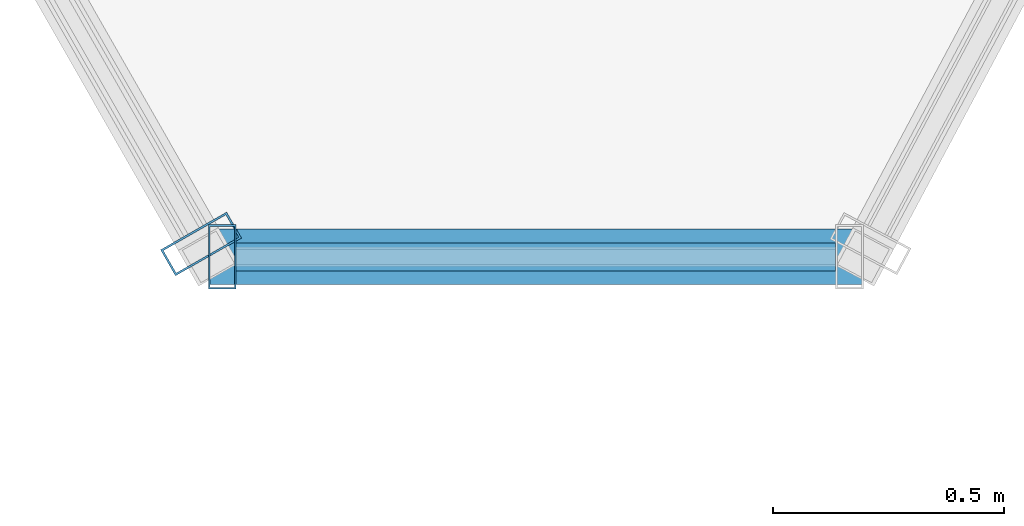
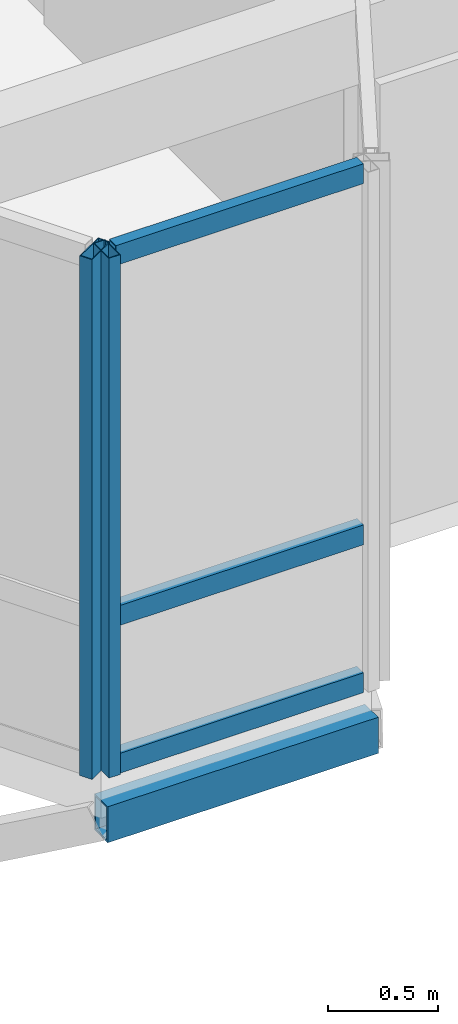
# One storey, part 33 of 79: 6 members, 2 elements without a shape of their own.
"""IFC4 building model written with IfcOpenShell, lengths in metres."""

from ifc_helpers import new_model, si_unit, direction, frame, origin, origin_2d, place, context, subcontext, project, spatial, hollow_rectangle, extrude, material, layer, layer_set, material_profile, profile_set, type_object, element, aggregate, save


model = new_model("IFC4")

# Units and contexts
model_context = context("Model", 3, precision=1e-05, world=origin(), true_north=direction((0.0, 1.0)))
body_context = subcontext(model_context, "Body", "Model", "MODEL_VIEW")
ifc_project = project(units=[si_unit("LENGTHUNIT", "METRE"), si_unit("AREAUNIT", "SQUARE_METRE"), si_unit("VOLUMEUNIT", "CUBIC_METRE"), si_unit("PLANEANGLEUNIT", "RADIAN"), si_unit("MASSUNIT", "GRAM", prefix="KILO"), si_unit("THERMODYNAMICTEMPERATUREUNIT", "KELVIN"), si_unit("POWERUNIT", "WATT")], contexts=[model_context])

# Site, building, storey
site_placement = place(None, origin())
site = spatial("IfcSite", under=ifc_project, at=site_placement, CompositionType="ELEMENT")
building_placement = place(site_placement, origin())
building = spatial("IfcBuilding", under=site, at=building_placement, Name="Tavuni Mirador Residences", CompositionType="ELEMENT")
storey_placement = place(building_placement, frame((0.0, 0.0, 13.949951171875)))
storey = spatial("IfcBuildingStorey", under=building, at=storey_placement, Name="L04", CompositionType="ELEMENT", Elevation=13.949951171875)

# Curtain wall, member
ifc_material_1 = material(Name="Anodised aluminium", Category="aluminium")
ifc_layer_1 = layer(ifc_material_1, 0.175048828125, Name="Anodised aluminium", Category="aluminium")
ifc_layer_set_1 = layer_set([ifc_layer_1], Name="Anodised aluminium")
curtain_wall_type_1 = type_object("IfcCurtainWallType", Name="CWT-MIR-C", PredefinedType="NOTDEFINED", material=ifc_layer_set_1)
curtain_wall_1_placement = place(storey_placement, origin())
curtain_wall_1 = element("IfcCurtainWall", 1, at=curtain_wall_1_placement, inside=storey, type_object=curtain_wall_type_1, Name="CW-MIR-C-S2-L04-MF", PredefinedType="NOTDEFINED")
ifc_material_profile_1 = material_profile(ifc_material_1, hollow_rectangle(XDim=0.06005859375, YDim=0.139892578125, WallThickness=0.00390625, at=origin_2d()), Name="ALU 60x140x4.0", Category="aluminium")
ifc_profile_set_1 = profile_set([ifc_material_profile_1], Name="Anodised aluminium")
member_type_1 = type_object("IfcMemberType", Name="CWM-140", PredefinedType="MULLION", material=ifc_profile_set_1)
member_1_placement = place(storey_placement, frame((33.389892578125, 142.800048828125, 0.0), z_axis=(0.0, 0.0, 1.0), x_axis=(1.0, 0.0, 0.0)))
member_1 = element("IfcMember", 2, at=member_1_placement, type_object=member_type_1, Name="CW-03 mullion 1", PredefinedType="MULLION", context=body_context, shape_type="SweptSolid", body=[
    extrude(hollow_rectangle(XDim=0.06005859375, YDim=0.139892578125, WallThickness=0.00390625, at=origin_2d()), origin(), (0.0, 0.0, 1.0), 2.885009765625),
])

ifc_layer_2 = layer(ifc_material_1, 0.14990234375, Name="Anodised aluminium", Category="aluminium")
ifc_layer_set_2 = layer_set([ifc_layer_2], Name="Anodised aluminium")
curtain_wall_type_2 = type_object("IfcCurtainWallType", Name="CWT-MIR-B", PredefinedType="NOTDEFINED", material=ifc_layer_set_2)
curtain_wall_2_placement = place(storey_placement, origin())
curtain_wall_2 = element("IfcCurtainWall", 3, at=curtain_wall_2_placement, inside=storey, type_object=curtain_wall_type_2, Name="CW-MIR-C-S2-L04-M1", PredefinedType="NOTDEFINED")
ifc_material_profile_2 = material_profile(ifc_material_1, hollow_rectangle(XDim=0.06494140625, YDim=0.1650390625, WallThickness=0.00439453125, at=origin_2d()), Name="ALU 65x165x4.5", Category="aluminium")
ifc_profile_set_2 = profile_set([ifc_material_profile_2], Name="Anodised aluminium")
member_type_2 = type_object("IfcMemberType", Name="CWM-165", PredefinedType="MULLION", material=ifc_profile_set_2)
member_2_placement = place(storey_placement, frame((33.343994140625, 142.828125, 0.0), z_axis=(0.0, 0.0, 1.0), x_axis=(0.495749192217, -0.868465738194, 0.0)))
member_2 = element("IfcMember", 4, at=member_2_placement, type_object=member_type_2, Name="CW-02 mullion 2", PredefinedType="MULLION", context=body_context, shape_type="SweptSolid", body=[
    extrude(hollow_rectangle(XDim=0.06494140625, YDim=0.1650390625, WallThickness=0.00439453125, at=origin_2d()), origin(), (0.0, 0.0, 1.0), 2.885009765625),
])
aggregate(curtain_wall_2, [member_2])

# Member
ifc_material_profile_3 = material_profile(ifc_material_1, hollow_rectangle(XDim=0.06005859375, YDim=0.110107421875, WallThickness=0.00390625, at=origin_2d()), Name="ALU 60x110x4.0", Category="aluminium")
ifc_profile_set_3 = profile_set([ifc_material_profile_3], Name="Anodised aluminium")
member_type_3 = type_object("IfcMemberType", Name="CWT-110", PredefinedType="USERDEFINED", material=ifc_profile_set_3)
member_3_placement = place(storey_placement, frame((33.419921875, 142.800048828125, 0.030029296875), z_axis=(1.0, 0.0, 0.0), x_axis=(0.0, 1.0, 0.0)))
member_3 = element("IfcMember", 5, at=member_3_placement, type_object=member_type_3, Name="CW-03 transom 1.1", ObjectType="TRANSOM", PredefinedType="USERDEFINED", context=body_context, shape_type="SweptSolid", body=[
    extrude(hollow_rectangle(XDim=0.06005859375, YDim=0.110107421875, WallThickness=0.00390625, at=origin_2d()), origin(), (0.0, 0.0, 1.0), 1.300048828125),
])

member_4_placement = place(storey_placement, frame((33.419921875, 142.800048828125, 0.85009765625), z_axis=(1.0, 0.0, 0.0), x_axis=(0.0, 1.0, 0.0)))
member_4 = element("IfcMember", 6, at=member_4_placement, type_object=member_type_3, Name="CW-03 transom 1.2", ObjectType="TRANSOM", PredefinedType="USERDEFINED", context=body_context, shape_type="SweptSolid", body=[
    extrude(hollow_rectangle(XDim=0.06005859375, YDim=0.110107421875, WallThickness=0.00390625, at=origin_2d()), origin(), (0.0, 0.0, 1.0), 1.300048828125),
])

member_5_placement = place(storey_placement, frame((33.419921875, 142.800048828125, 2.85498046875), z_axis=(1.0, 0.0, 0.0), x_axis=(0.0, 1.0, 0.0)))
member_5 = element("IfcMember", 7, at=member_5_placement, type_object=member_type_3, Name="CW-03 transom 1.3", ObjectType="TRANSOM", PredefinedType="USERDEFINED", context=body_context, shape_type="SweptSolid", body=[
    extrude(hollow_rectangle(XDim=0.06005859375, YDim=0.110107421875, WallThickness=0.00390625, at=origin_2d()), origin(), (0.0, 0.0, 1.0), 1.300048828125),
])

aggregate(curtain_wall_1, [member_1, member_3, member_4, member_5])

ifc_material_2 = material(Name="Structural steel S355", Category="steel")
ifc_material_profile_4 = material_profile(ifc_material_2, hollow_rectangle(XDim=0.1201171875, YDim=0.199951171875, WallThickness=0.010009765625, at=origin_2d()), Name="RHS 200x120x10.0", Category="steel")
ifc_profile_set_4 = profile_set([ifc_material_profile_4], Name="Structural steel S355")
member_type_4 = type_object("IfcMemberType", Name="MT-ST-RHS200", PredefinedType="STRUT", material=ifc_profile_set_4)
member_6_placement = place(storey_placement, frame((33.360107421875, 142.800048828125, -0.264892578125), z_axis=(1.0, 0.0, 0.0), x_axis=(0.0, 1.0, 0.0)))
element("IfcMember", 8, at=member_6_placement, inside=storey, type_object=member_type_4, Name="MRIM-MIR-C-S2-L04", PredefinedType="STRUT", context=body_context, shape_type="SweptSolid", body=[
    extrude(hollow_rectangle(XDim=0.1201171875, YDim=0.199951171875, WallThickness=0.010009765625, at=origin_2d()), origin(), (0.0, 0.0, 1.0), 1.419921875),
])

save(model, "model.ifc")
